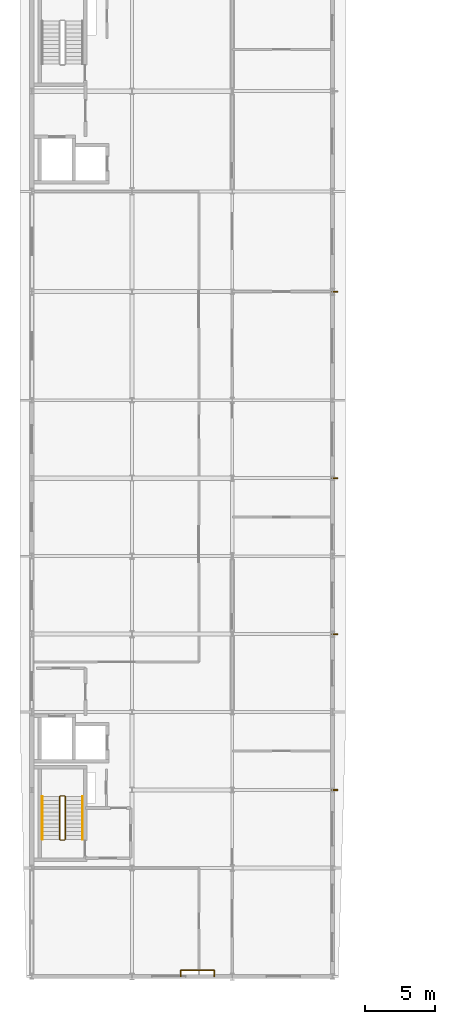
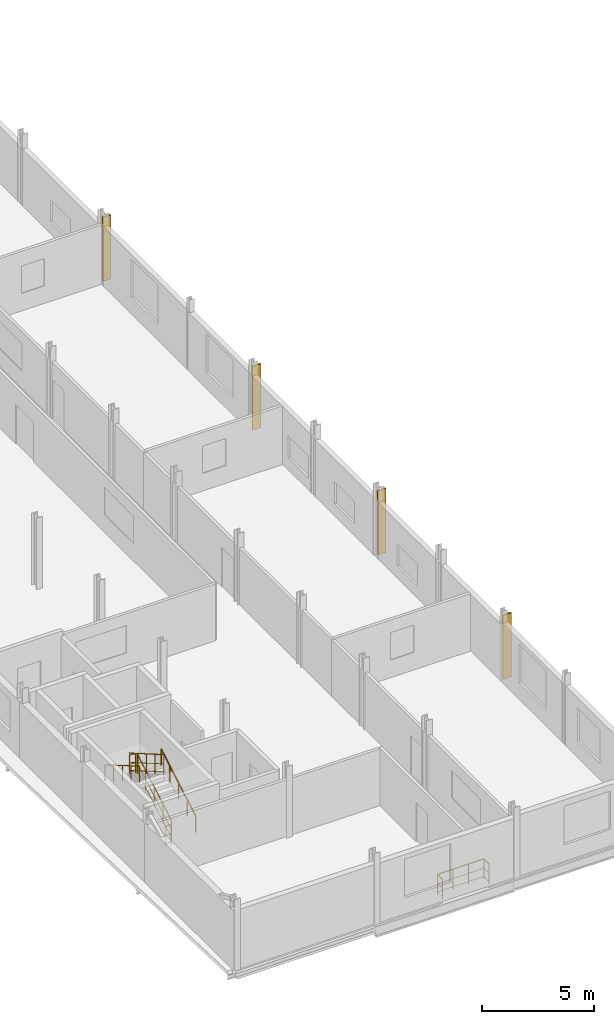
# One storey, part 28 of 30: 9 railings, 4 shading devices.
"""IFC4 building model written with IfcOpenShell, lengths in metres."""

from ifc_helpers import new_model, si_unit, direction, frame, origin, origin_2d, place, context, subcontext, project, spatial, rectangle, circle, extrude, material, type_object, element, save


model = new_model("IFC4")

# Units and contexts
model_context = context("Model", 3, precision=1e-05, world=origin(), true_north=direction((0.0, 1.0)))
body_context = subcontext(model_context, "Body", "Model", "MODEL_VIEW")
ifc_project = project(units=[si_unit("LENGTHUNIT", "METRE"), si_unit("AREAUNIT", "SQUARE_METRE"), si_unit("VOLUMEUNIT", "CUBIC_METRE"), si_unit("PLANEANGLEUNIT", "RADIAN"), si_unit("MASSUNIT", "GRAM", prefix="KILO")], contexts=[model_context])

# Site, building, storey
site_placement = place(None, origin())
site = spatial("IfcSite", under=ifc_project, at=site_placement, CompositionType="ELEMENT")
building_placement = place(site_placement, origin())
building = spatial("IfcBuilding", under=site, at=building_placement, Name="Vinh Khe Railworks Police Headquarters", CompositionType="ELEMENT")
storey_placement = place(building_placement, frame((0.0, 0.0, 21.0)))
storey = spatial("IfcBuildingStorey", under=building, at=storey_placement, Name="L05", CompositionType="ELEMENT", Elevation=21.0)

# Railings
ifc_material_1 = material(Name="Painted tubular steel", Category="steel")
railing_type_1 = type_object("IfcRailingType", Name="RL-GUARD-1100", PredefinedType="GUARDRAIL", material=ifc_material_1)
railing_1_placement = place(storey_placement, frame((3.0, 27.25, 0.16259765625)))
element("IfcRailing", 1, at=railing_1_placement, inside=storey, type_object=railing_type_1, Name="L05 ST-01 stair guard 1", PredefinedType="GUARDRAIL", context=body_context, shape_type="SweptSolid", body=[
    extrude(circle(Radius=0.02392578125, at=origin_2d()), frame((0.0, 0.0, 1.076171875), z_axis=(0.0, 0.864920483161, 0.501908913857), x_axis=(-1.0, 0.0, 0.0)), (0.0, 0.0, 1.0), 3.56103515625),
    extrude(circle(Radius=0.01416015625, at=origin_2d()), frame((0.0, 0.0, 0.132080078125), z_axis=(0.0, 0.864920483161, 0.501908913857), x_axis=(-1.0, 0.0, 0.0)), (0.0, 0.0, 1.0), 3.56103515625),
    extrude(circle(Radius=0.01416015625, at=origin_2d()), frame((0.0, 0.0, 0.572021484375), z_axis=(0.0, 0.864920483161, 0.501908913857), x_axis=(-1.0, 0.0, 0.0)), (0.0, 0.0, 1.0), 3.56103515625),
    extrude(circle(Radius=0.02099609375, at=origin_2d()), origin(), (0.0, 0.0, 1.0), 1.052001953125),
    extrude(circle(Radius=0.02099609375, at=origin_2d()), frame((0.0, 0.77001953125, 0.44677734375)), (0.0, 0.0, 1.0), 1.052001953125),
    extrude(circle(Radius=0.02099609375, at=origin_2d()), frame((0.0, 1.5400390625, 0.8935546875)), (0.0, 0.0, 1.0), 1.052001953125),
    extrude(circle(Radius=0.02099609375, at=origin_2d()), frame((0.0, 2.31005859375, 1.340576171875)), (0.0, 0.0, 1.0), 1.052001953125),
    extrude(circle(Radius=0.02099609375, at=origin_2d()), frame((0.0, 3.080078125, 1.787353515625)), (0.0, 0.0, 1.0), 1.052001953125),
])
railing_2_placement = place(storey_placement, frame((2.949951171875, 30.3798828125, 1.949951171875)))
element("IfcRailing", 2, at=railing_2_placement, inside=storey, type_object=railing_type_1, Name="L05 ST-01 stair guard 2", PredefinedType="GUARDRAIL", context=body_context, shape_type="SweptSolid", body=[
    extrude(circle(Radius=0.02392578125, at=origin_2d()), frame((0.0, 0.0, 1.076171875), z_axis=(-1.0, 0.0, 0.0), x_axis=(0.0, -1.0, 0.0)), (0.0, 0.0, 1.0), 0.300048828125),
    extrude(circle(Radius=0.01416015625, at=origin_2d()), frame((0.0, 0.0, 0.132080078125), z_axis=(-1.0, 0.0, 0.0), x_axis=(0.0, -1.0, 0.0)), (0.0, 0.0, 1.0), 0.300048828125),
    extrude(circle(Radius=0.01416015625, at=origin_2d()), frame((0.0, 0.0, 0.572021484375), z_axis=(-1.0, 0.0, 0.0), x_axis=(0.0, -1.0, 0.0)), (0.0, 0.0, 1.0), 0.300048828125),
    extrude(circle(Radius=0.02099609375, at=origin_2d()), origin(), (0.0, 0.0, 1.0), 1.052001953125),
    extrude(circle(Radius=0.02099609375, at=origin_2d()), frame((-0.300048828125, 0.0, 0.0)), (0.0, 0.0, 1.0), 1.052001953125),
])
railing_3_placement = place(storey_placement, frame((2.60009765625, 30.330078125, 2.112548828125)))
element("IfcRailing", 3, at=railing_3_placement, inside=storey, type_object=railing_type_1, Name="L05 ST-01 stair guard 3", PredefinedType="GUARDRAIL", context=body_context, shape_type="SweptSolid", body=[
    extrude(circle(Radius=0.02392578125, at=origin_2d()), frame((0.0, 0.0, 1.076171875), z_axis=(0.0, -0.864920483161, 0.501908913857), x_axis=(1.0, 0.0, 0.0)), (0.0, 0.0, 1.0), 3.56103515625),
    extrude(circle(Radius=0.01416015625, at=origin_2d()), frame((0.0, 0.0, 0.132080078125), z_axis=(0.0, -0.864920483161, 0.501908913857), x_axis=(1.0, 0.0, 0.0)), (0.0, 0.0, 1.0), 3.56103515625),
    extrude(circle(Radius=0.01416015625, at=origin_2d()), frame((0.0, 0.0, 0.572021484375), z_axis=(0.0, -0.864920483161, 0.501908913857), x_axis=(1.0, 0.0, 0.0)), (0.0, 0.0, 1.0), 3.56103515625),
    extrude(circle(Radius=0.02099609375, at=origin_2d()), origin(), (0.0, 0.0, 1.0), 1.052001953125),
    extrude(circle(Radius=0.02099609375, at=origin_2d()), frame((0.0, -0.77001953125, 0.44677734375)), (0.0, 0.0, 1.0), 1.052001953125),
    extrude(circle(Radius=0.02099609375, at=origin_2d()), frame((0.0, -1.5400390625, 0.8935546875)), (0.0, 0.0, 1.0), 1.052001953125),
    extrude(circle(Radius=0.02099609375, at=origin_2d()), frame((0.0, -2.31005859375, 1.340576171875)), (0.0, 0.0, 1.0), 1.052001953125),
    extrude(circle(Radius=0.02099609375, at=origin_2d()), frame((0.0, -3.080078125, 1.787353515625)), (0.0, 0.0, 1.0), 1.052001953125),
])
railing_4_placement = place(storey_placement, frame((2.949951171875, 27.199951171875, 0.0)))
element("IfcRailing", 4, at=railing_4_placement, inside=storey, type_object=railing_type_1, Name="L05 ST-01 stair guard 4", PredefinedType="GUARDRAIL", context=body_context, shape_type="SweptSolid", body=[
    extrude(circle(Radius=0.02392578125, at=origin_2d()), frame((0.0, 0.0, 1.076171875), z_axis=(-1.0, 0.0, 0.0), x_axis=(0.0, -1.0, 0.0)), (0.0, 0.0, 1.0), 0.300048828125),
    extrude(circle(Radius=0.01416015625, at=origin_2d()), frame((0.0, 0.0, 0.132080078125), z_axis=(-1.0, 0.0, 0.0), x_axis=(0.0, -1.0, 0.0)), (0.0, 0.0, 1.0), 0.300048828125),
    extrude(circle(Radius=0.01416015625, at=origin_2d()), frame((0.0, 0.0, 0.572021484375), z_axis=(-1.0, 0.0, 0.0), x_axis=(0.0, -1.0, 0.0)), (0.0, 0.0, 1.0), 0.300048828125),
    extrude(circle(Radius=0.02099609375, at=origin_2d()), origin(), (0.0, 0.0, 1.0), 1.052001953125),
    extrude(circle(Radius=0.02099609375, at=origin_2d()), frame((-0.300048828125, 0.0, 0.0)), (0.0, 0.0, 1.0), 1.052001953125),
])
railing_5_placement = place(storey_placement, frame((11.300048828125, 17.39990234375, 0.0)))
element("IfcRailing", 5, at=railing_5_placement, inside=storey, type_object=railing_type_1, Name="Slab Corner Notch Guard L05-102", PredefinedType="GUARDRAIL", context=body_context, shape_type="SweptSolid", body=[
    extrude(circle(Radius=0.02392578125, at=origin_2d()), frame((0.0, 0.0, 1.09619140625), z_axis=(0.0, 1.0, 0.0), x_axis=(-1.0, 0.0, 0.0)), (0.0, 0.0, 1.0), 0.4501953125),
    extrude(circle(Radius=0.01416015625, at=origin_2d()), frame((0.0, 0.0, 0.134521484375), z_axis=(0.0, 1.0, 0.0), x_axis=(-1.0, 0.0, 0.0)), (0.0, 0.0, 1.0), 0.4501953125),
    extrude(circle(Radius=0.01416015625, at=origin_2d()), frame((0.0, 0.0, 0.58251953125), z_axis=(0.0, 1.0, 0.0), x_axis=(-1.0, 0.0, 0.0)), (0.0, 0.0, 1.0), 0.4501953125),
    extrude(circle(Radius=0.02099609375, at=origin_2d()), origin(), (0.0, 0.0, 1.0), 1.072021484375),
    extrude(circle(Radius=0.02099609375, at=origin_2d()), frame((0.0, 0.4501953125, 0.0)), (0.0, 0.0, 1.0), 1.072021484375),
])
railing_6_placement = place(storey_placement, frame((11.300048828125, 17.85009765625, 0.0)))
element("IfcRailing", 6, at=railing_6_placement, inside=storey, type_object=railing_type_1, Name="Slab Corner Notch Guard L05-103", PredefinedType="GUARDRAIL", context=body_context, shape_type="SweptSolid", body=[
    extrude(circle(Radius=0.02392578125, at=origin_2d()), frame((0.0, 0.0, 1.09619140625), z_axis=(1.0, 0.0, 0.0), x_axis=(0.0, 1.0, 0.0)), (0.0, 0.0, 1.0), 2.39990234375),
    extrude(circle(Radius=0.01416015625, at=origin_2d()), frame((0.0, 0.0, 0.134521484375), z_axis=(1.0, 0.0, 0.0), x_axis=(0.0, 1.0, 0.0)), (0.0, 0.0, 1.0), 2.39990234375),
    extrude(circle(Radius=0.01416015625, at=origin_2d()), frame((0.0, 0.0, 0.58251953125), z_axis=(1.0, 0.0, 0.0), x_axis=(0.0, 1.0, 0.0)), (0.0, 0.0, 1.0), 2.39990234375),
    extrude(circle(Radius=0.02099609375, at=origin_2d()), origin(), (0.0, 0.0, 1.0), 1.072021484375),
    extrude(circle(Radius=0.02099609375, at=origin_2d()), frame((0.800048828125, 0.0, 0.0)), (0.0, 0.0, 1.0), 1.072021484375),
    extrude(circle(Radius=0.02099609375, at=origin_2d()), frame((1.599853515625, 0.0, 0.0)), (0.0, 0.0, 1.0), 1.072021484375),
    extrude(circle(Radius=0.02099609375, at=origin_2d()), frame((2.39990234375, 0.0, 0.0)), (0.0, 0.0, 1.0), 1.072021484375),
])
railing_7_placement = place(storey_placement, frame((13.699951171875, 17.85009765625, 0.0)))
element("IfcRailing", 7, at=railing_7_placement, inside=storey, type_object=railing_type_1, Name="Slab Corner Notch Guard L05-104", PredefinedType="GUARDRAIL", context=body_context, shape_type="SweptSolid", body=[
    extrude(circle(Radius=0.02392578125, at=origin_2d()), frame((0.0, 0.0, 1.09619140625), z_axis=(0.0, -1.0, 0.0), x_axis=(1.0, 0.0, 0.0)), (0.0, 0.0, 1.0), 0.4501953125),
    extrude(circle(Radius=0.01416015625, at=origin_2d()), frame((0.0, 0.0, 0.134521484375), z_axis=(0.0, -1.0, 0.0), x_axis=(1.0, 0.0, 0.0)), (0.0, 0.0, 1.0), 0.4501953125),
    extrude(circle(Radius=0.01416015625, at=origin_2d()), frame((0.0, 0.0, 0.58251953125), z_axis=(0.0, -1.0, 0.0), x_axis=(1.0, 0.0, 0.0)), (0.0, 0.0, 1.0), 0.4501953125),
    extrude(circle(Radius=0.02099609375, at=origin_2d()), origin(), (0.0, 0.0, 1.0), 1.072021484375),
    extrude(circle(Radius=0.02099609375, at=origin_2d()), frame((0.0, -0.4501953125, 0.0)), (0.0, 0.0, 1.0), 1.072021484375),
])
ifc_material_2 = material(Name="Brushed stainless steel", Category="steel")
railing_type_2 = type_object("IfcRailingType", Name="RL-HAND-900", PredefinedType="HANDRAIL", material=ifc_material_2)
railing_8_placement = place(storey_placement, frame((4.25, 27.25, 0.16259765625)))
element("IfcRailing", 8, at=railing_8_placement, inside=storey, type_object=railing_type_2, Name="L05 ST-01 stair handrail 1", PredefinedType="HANDRAIL", context=body_context, shape_type="SweptSolid", body=[
    extrude(circle(Radius=0.02392578125, at=origin_2d()), frame((0.0, 0.0, 0.8759765625), z_axis=(0.0, 0.864920483161, 0.501908913857), x_axis=(-1.0, 0.0, 0.0)), (0.0, 0.0, 1.0), 3.56103515625),
    extrude(circle(Radius=0.02099609375, at=origin_2d()), origin(), (0.0, 0.0, 1.0), 0.851806640625),
    extrude(circle(Radius=0.02099609375, at=origin_2d()), frame((0.0, 0.77001953125, 0.44677734375)), (0.0, 0.0, 1.0), 0.851806640625),
    extrude(circle(Radius=0.02099609375, at=origin_2d()), frame((0.0, 1.5400390625, 0.8935546875)), (0.0, 0.0, 1.0), 0.851806640625),
    extrude(circle(Radius=0.02099609375, at=origin_2d()), frame((0.0, 2.31005859375, 1.340576171875)), (0.0, 0.0, 1.0), 0.851806640625),
    extrude(circle(Radius=0.02099609375, at=origin_2d()), frame((0.0, 3.080078125, 1.787353515625)), (0.0, 0.0, 1.0), 0.851806640625),
])
railing_9_placement = place(storey_placement, frame((1.35009765625, 30.330078125, 2.112548828125)))
element("IfcRailing", 9, at=railing_9_placement, inside=storey, type_object=railing_type_2, Name="L05 ST-01 stair handrail 2", PredefinedType="HANDRAIL", context=body_context, shape_type="SweptSolid", body=[
    extrude(circle(Radius=0.02392578125, at=origin_2d()), frame((0.0, 0.0, 0.8759765625), z_axis=(0.0, -0.864920483161, 0.501908913857), x_axis=(1.0, 0.0, 0.0)), (0.0, 0.0, 1.0), 3.56103515625),
    extrude(circle(Radius=0.02099609375, at=origin_2d()), origin(), (0.0, 0.0, 1.0), 0.851806640625),
    extrude(circle(Radius=0.02099609375, at=origin_2d()), frame((0.0, -0.77001953125, 0.44677734375)), (0.0, 0.0, 1.0), 0.851806640625),
    extrude(circle(Radius=0.02099609375, at=origin_2d()), frame((0.0, -1.5400390625, 0.8935546875)), (0.0, 0.0, 1.0), 0.851806640625),
    extrude(circle(Radius=0.02099609375, at=origin_2d()), frame((0.0, -2.31005859375, 1.340576171875)), (0.0, 0.0, 1.0), 0.851806640625),
    extrude(circle(Radius=0.02099609375, at=origin_2d()), frame((0.0, -3.080078125, 1.787353515625)), (0.0, 0.0, 1.0), 0.851806640625),
])

# Shading devices
ifc_material_3 = material(Name="Salvaged ironwood timber", Category="wood")
shading_device_type = type_object("IfcShadingDeviceType", Name="SHD-MSF-01", PredefinedType="JALOUSIE", material=ifc_material_3)
for number, where, z_axis, x_axis, name in (
    (10, (22.360107421875, 30.800048828125, 0.10009765625), (0.0, 0.0, 1.0), (1.0, 0.0, 0.0), "Monsoon Court Solar Fin V5 L05-1"),
    (11, (22.360107421875, 42.0, 0.10009765625), (0.0, 0.0, 1.0), (1.0, 0.0, 0.0), "Monsoon Court Solar Fin V5 L05-2"),
    (12, (22.360107421875, 53.199951171875, 0.10009765625), (0.0, 0.0, 1.0), (1.0, 0.0, 0.0), "Monsoon Court Solar Fin V5 L05-3"),
    (13, (22.360107421875, 66.60009765625, 0.10009765625), (0.0, 0.0, 1.0), (1.0, 0.0, 0.0), "Monsoon Court Solar Fin V5 L05-4"),
):
    element("IfcShadingDevice", number, at=place(storey_placement, frame(where, z_axis=z_axis, x_axis=x_axis)), inside=storey, type_object=shading_device_type, Name=name, PredefinedType="JALOUSIE", context=body_context, shape_type="SweptSolid", body=[
        extrude(rectangle(XDim=0.419921875, YDim=0.080078125, at=origin_2d()), origin(), (0.0, 0.0, 1.0), 3.5),
    ])

save(model, "model.ifc")
